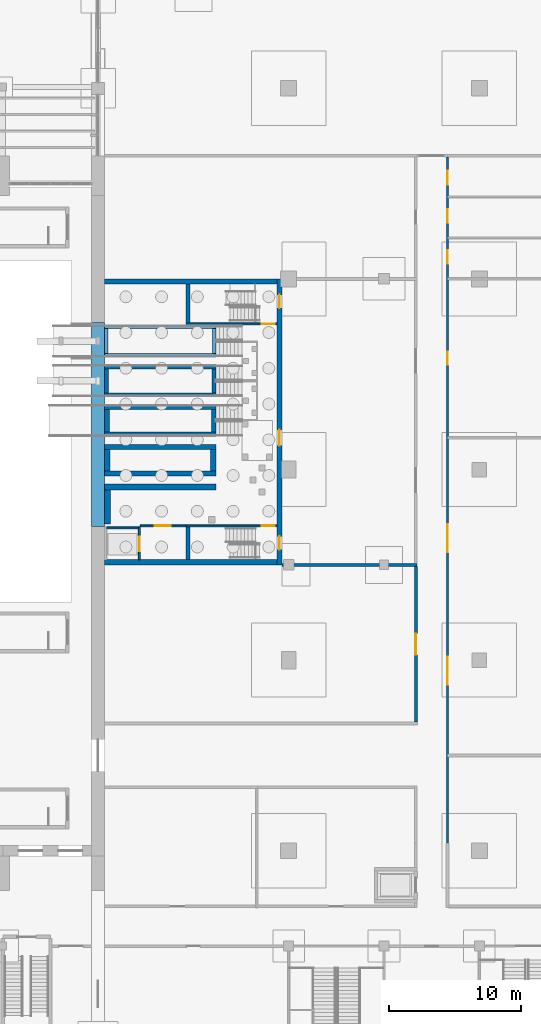
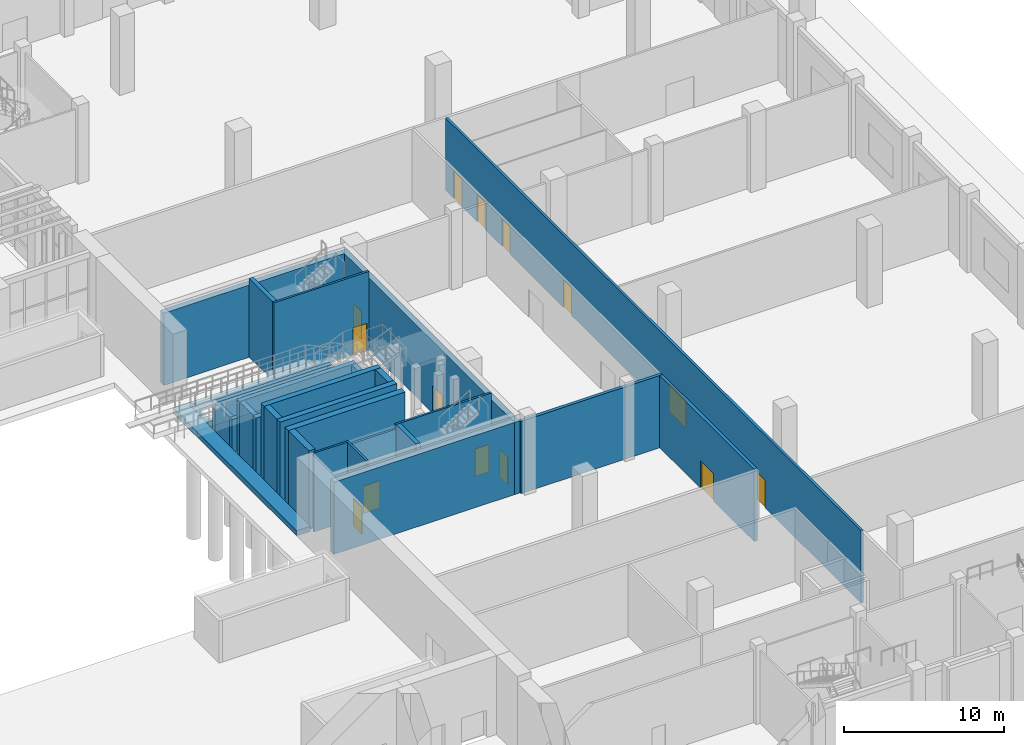
# One storey, part 49 of 70: 32 walls, 14 doors, 14 openings.
"""IFC4 building model written with IfcOpenShell, lengths in metres."""

from ifc_helpers import new_model, si_unit, direction, frame, frame_2d, origin, place, context, subcontext, project, spatial, rectangle, extrude, material, layer, layer_set, type_object, element, fill, save


model = new_model("IFC4")

# Units and contexts
model_context = context("Model", 3, precision=1e-05, world=origin(), true_north=direction((0.0, 1.0)))
body_context = subcontext(model_context, "Body", "Model", "MODEL_VIEW")
ifc_project = project(units=[si_unit("LENGTHUNIT", "METRE"), si_unit("AREAUNIT", "SQUARE_METRE"), si_unit("VOLUMEUNIT", "CUBIC_METRE"), si_unit("PLANEANGLEUNIT", "RADIAN"), si_unit("MASSUNIT", "GRAM", prefix="KILO")], contexts=[model_context])

# Site, building, storey
site_placement = place(None, origin())
site = spatial("IfcSite", under=ifc_project, at=site_placement, CompositionType="ELEMENT")
building_placement = place(site_placement, origin())
building = spatial("IfcBuilding", under=site, at=building_placement, Name="Vermilion Court Aquatics Centre", CompositionType="ELEMENT")
storey_placement = place(building_placement, origin())
storey = spatial("IfcBuildingStorey", under=building, at=storey_placement, Name="L00", CompositionType="ELEMENT", Elevation=0.0)

# Wall, opening, door
ifc_material_1 = material(Name="Concrete 5000 psi", Category="concrete")
ifc_layer_1 = layer(ifc_material_1, 0.14990234375)
ifc_layer_set_1 = layer_set([ifc_layer_1], Name="Diving Tower lift shaft wall 150")
wall_type_1 = type_object("IfcWallType", Name="Diving Tower lift shaft wall 150", PredefinedType="PARTITIONING", material=ifc_layer_set_1)
wall_1_placement = place(storey_placement, frame((147.125, 36.39990234375, 0.0), z_axis=(0.0, 0.0, 1.0), x_axis=(0.0, 1.0, 0.0)))
wall_1 = element("IfcWall", 1, at=wall_1_placement, inside=storey, type_object=wall_type_1, Name="Diving Tower lift shaft wall front L00", PredefinedType="PARTITIONING", context=body_context, shape_type="SweptSolid", body=[
    extrude(rectangle(XDim=2.47509765625, YDim=0.14990234375, at=frame_2d((1.237548828125, 0.0))), origin(), (0.0, 0.0, 1.0), 6.0),
])
opening_1_placement = place(wall_1_placement, frame((0.625, 0.0, 0.0)))
opening_1 = element("IfcOpeningElement", 2, at=opening_1_placement, cuts=wall_1, Name="Opening LD5-00", PredefinedType="OPENING", context=body_context, shape_type="SweptSolid", body=[
    extrude(rectangle(XDim=1.10009765625, YDim=2.10009765625, at=frame_2d((0.550048828125, 1.050048828125))), frame((0.0, 0.0849609375, 0.0), z_axis=(0.0, -1.0, 0.0), x_axis=(1.0, 0.0, 0.0)), (0.0, 0.0, 1.0), 0.169921875),
])
ifc_material_2 = material(Name="Hollow metal")
door_type_1 = type_object("IfcDoorType", Name="Diving Tower lift landing door 1100x2100", OperationType="DOUBLE_DOOR_SLIDING", PredefinedType="DOOR", material=ifc_material_2)
door_1_placement = place(opening_1_placement, origin())
door_1 = element("IfcDoor", 3, at=door_1_placement, inside=storey, type_object=door_type_1, Name="Lift landing door L5 L00", OperationType="DOUBLE_DOOR_SLIDING", OverallHeight=2.10009765625, OverallWidth=1.10009765625, PredefinedType="DOOR", context=body_context, shape_type="SweptSolid", body=[
    extrude(rectangle(XDim=1.10009765625, YDim=2.10009765625, at=frame_2d((0.550048828125, 1.050048828125))), frame((0.0, 0.02490234375, 0.0), z_axis=(0.0, -1.0, 0.0), x_axis=(1.0, 0.0, 0.0)), (0.0, 0.0, 1.0), 0.050048828125),
])
fill(opening_1, door_1)

# Wall
wall_2_placement = place(storey_placement, frame((144.64990234375, 38.800048828125, 0.0), z_axis=(0.0, 0.0, 1.0), x_axis=(1.0, 0.0, 0.0)))
element("IfcWall", 4, at=wall_2_placement, inside=storey, type_object=wall_type_1, Name="Diving Tower lift shaft wall north L00", PredefinedType="PARTITIONING", context=body_context, shape_type="SweptSolid", body=[
    extrude(rectangle(XDim=2.550048828125, YDim=0.14990234375, at=frame_2d((1.27490234375, 0.0))), origin(), (0.0, 0.0, 1.0), 6.0),
])

# Wall, openings, doors
ifc_material_3 = material(Name="Concrete 8000 psi", Category="concrete")
ifc_layer_2 = layer(ifc_material_3, 0.39990234375)
ifc_layer_set_2 = layer_set([ifc_layer_2], Name="Diving Tower shell wall 400")
wall_type_2 = type_object("IfcWallType", Name="Diving Tower shell wall 400", PredefinedType="SHEAR", material=ifc_layer_set_2)
wall_3_placement = place(storey_placement, frame((157.699951171875, 36.0, 0.0), z_axis=(0.0, 0.0, 1.0), x_axis=(0.0, 1.0, 0.0)))
wall_3 = element("IfcWall", 5, at=wall_3_placement, inside=storey, type_object=wall_type_2, Name="Diving Tower shell wall east L00", PredefinedType="SHEAR", context=body_context, shape_type="SweptSolid", body=[
    extrude(rectangle(XDim=21.60009765625, YDim=0.39990234375, at=frame_2d((10.800048828125, 0.0))), origin(), (0.0, 0.0, 1.0), 5.5),
])
opening_2_placement = place(wall_3_placement, frame((1.14990234375, 0.0, 0.0)))
opening_2 = element("IfcOpeningElement", 6, at=opening_2_placement, cuts=wall_3, Name="Opening U00-014", PredefinedType="OPENING", context=body_context, shape_type="SweptSolid", body=[
    extrude(rectangle(XDim=1.0, YDim=2.10009765625, at=frame_2d((0.5, 1.050048828125))), frame((0.0, 0.2099609375, 0.0), z_axis=(0.0, -1.0, 0.0), x_axis=(1.0, 0.0, 0.0)), (0.0, 0.0, 1.0), 0.419921875),
])
opening_3_placement = place(wall_3_placement, frame((19.39990234375, 0.0, 0.0)))
opening_3 = element("IfcOpeningElement", 7, at=opening_3_placement, cuts=wall_3, Name="Opening U00-015", PredefinedType="OPENING", context=body_context, shape_type="SweptSolid", body=[
    extrude(rectangle(XDim=1.0, YDim=2.10009765625, at=frame_2d((0.5, 1.050048828125))), frame((0.0, 0.2099609375, 0.0), z_axis=(0.0, -1.0, 0.0), x_axis=(1.0, 0.0, 0.0)), (0.0, 0.0, 1.0), 0.419921875),
])
opening_4_placement = place(wall_3_placement, frame((9.0, 0.0, 0.0)))
opening_4 = element("IfcOpeningElement", 8, at=opening_4_placement, cuts=wall_3, Name="Opening U00-016", PredefinedType="OPENING", context=body_context, shape_type="SweptSolid", body=[
    extrude(rectangle(XDim=1.199951171875, YDim=2.10009765625, at=frame_2d((0.60009765625, 1.050048828125))), frame((0.0, 0.2099609375, 0.0), z_axis=(0.0, -1.0, 0.0), x_axis=(1.0, 0.0, 0.0)), (0.0, 0.0, 1.0), 0.419921875),
])
ifc_material_4 = material(Name="Hollow metal")
door_type_2 = type_object("IfcDoorType", Name="Diving Tower entrance door FD90 1200x2100", OperationType="SINGLE_SWING_LEFT", PredefinedType="DOOR", material=ifc_material_4)
door_2_placement = place(opening_4_placement, origin())
door_2 = element("IfcDoor", 9, at=door_2_placement, inside=storey, type_object=door_type_2, Name="Diving Tower entrance door", OperationType="SINGLE_SWING_LEFT", OverallHeight=2.10009765625, OverallWidth=1.199951171875, PredefinedType="DOOR", context=body_context, shape_type="SweptSolid", body=[
    extrude(rectangle(XDim=1.199951171875, YDim=2.10009765625, at=frame_2d((0.60009765625, 1.050048828125))), frame((0.0, 0.02490234375, 0.0), z_axis=(0.0, -1.0, 0.0), x_axis=(1.0, 0.0, 0.0)), (0.0, 0.0, 1.0), 0.050048828125),
])
fill(opening_4, door_2)
ifc_material_5 = material(Name="Hollow metal")
door_type_3 = type_object("IfcDoorType", Name="Diving Tower exit door FD90 1000x2100", OperationType="NOTDEFINED", PredefinedType="DOOR", material=ifc_material_5)
door_3_placement = place(opening_2_placement, frame((1.0, 0.0, 0.0), z_axis=(0.0, 0.0, 1.0), x_axis=(-1.0, 0.0, 0.0)))
door_3 = element("IfcDoor", 10, at=door_3_placement, inside=storey, type_object=door_type_3, Name="Diving Stair 1 exit door", OperationType="SINGLE_SWING_RIGHT", OverallHeight=2.10009765625, OverallWidth=1.0, PredefinedType="DOOR", context=body_context, shape_type="SweptSolid", body=[
    extrude(rectangle(XDim=1.0, YDim=2.10009765625, at=frame_2d((0.5, 1.050048828125))), frame((0.0, 0.025146484375, 0.0), z_axis=(0.0, -1.0, 0.0), x_axis=(1.0, 0.0, 0.0)), (0.0, 0.0, 1.0), 0.050048828125),
])
fill(opening_2, door_3)
door_4_placement = place(opening_3_placement, frame((1.0, 0.0, 0.0), z_axis=(0.0, 0.0, 1.0), x_axis=(-1.0, 0.0, 0.0)))
door_4 = element("IfcDoor", 11, at=door_4_placement, inside=storey, type_object=door_type_3, Name="Diving Stair 2 exit door", OperationType="SINGLE_SWING_LEFT", OverallHeight=2.10009765625, OverallWidth=1.0, PredefinedType="DOOR", context=body_context, shape_type="SweptSolid", body=[
    extrude(rectangle(XDim=1.0, YDim=2.10009765625, at=frame_2d((0.5, 1.050048828125))), frame((0.0, 0.025146484375, 0.0), z_axis=(0.0, -1.0, 0.0), x_axis=(1.0, 0.0, 0.0)), (0.0, 0.0, 1.0), 0.050048828125),
])
fill(opening_3, door_4)

# Walls
for number, where, z_axis, x_axis, name in (
    (12, (144.5, 36.199951171875, 0.0), (0.0, 0.0, 1.0), (1.0, 0.0, 0.0), "Diving Tower shell wall south L00"),
    (13, (144.5, 57.39990234375, 0.0), (0.0, 0.0, 1.0), (1.0, 0.0, 0.0), "Diving Tower shell wall north L00"),
):
    element("IfcWall", number, at=place(storey_placement, frame(where, z_axis=z_axis, x_axis=x_axis)), inside=storey, type_object=wall_type_2, Name=name, PredefinedType="SHEAR", context=body_context, shape_type="SweptSolid", body=[
        extrude(rectangle(XDim=13.0, YDim=0.39990234375, at=frame_2d((6.5, 0.0))), origin(), (0.0, 0.0, 1.0), 5.5),
    ])

# Wall, opening, door
ifc_material_6 = material(Name="Concrete 5000 psi", Category="concrete")
ifc_layer_3 = layer(ifc_material_6, 0.14990234375)
ifc_layer_set_3 = layer_set([ifc_layer_3], Name="Diving Tower stair lane wall 150")
wall_type_3 = type_object("IfcWallType", Name="Diving Tower stair lane wall 150", PredefinedType="SHEAR", material=ifc_layer_set_3)
wall_4_placement = place(storey_placement, frame((150.64990234375, 38.949951171875, 0.0), z_axis=(0.0, 0.0, 1.0), x_axis=(1.0, 0.0, 0.0)))
wall_4 = element("IfcWall", 14, at=wall_4_placement, inside=storey, type_object=wall_type_3, Name="Diving Tower stair 1 lane wall L00", PredefinedType="SHEAR", context=body_context, shape_type="SweptSolid", body=[
    extrude(rectangle(XDim=6.85009765625, YDim=0.14990234375, at=frame_2d((3.425048828125, 0.0))), origin(), (0.0, 0.0, 1.0), 6.0),
])
opening_5_placement = place(wall_4_placement, frame((5.699951171875, 0.0, 0.0)))
opening_5 = element("IfcOpeningElement", 15, at=opening_5_placement, cuts=wall_4, Name="Opening U00-017", PredefinedType="OPENING", context=body_context, shape_type="SweptSolid", body=[
    extrude(rectangle(XDim=1.0, YDim=2.10009765625, at=frame_2d((0.5, 1.050048828125))), frame((0.0, 0.0849609375, 0.0), z_axis=(0.0, -1.0, 0.0), x_axis=(1.0, 0.0, 0.0)), (0.0, 0.0, 1.0), 0.169921875),
])
ifc_material_7 = material(Name="Hollow metal")
door_type_4 = type_object("IfcDoorType", Name="Diving Tower stair door FD90 1000x2100", OperationType="NOTDEFINED", PredefinedType="DOOR", material=ifc_material_7)
door_5_placement = place(opening_5_placement, origin())
door_5 = element("IfcDoor", 16, at=door_5_placement, inside=storey, type_object=door_type_4, Name="Diving Stair 1 hall door", OperationType="SINGLE_SWING_RIGHT", OverallHeight=2.10009765625, OverallWidth=1.0, PredefinedType="DOOR", context=body_context, shape_type="SweptSolid", body=[
    extrude(rectangle(XDim=1.0, YDim=2.10009765625, at=frame_2d((0.5, 1.050048828125))), frame((0.0, 0.02490234375, 0.0), z_axis=(0.0, -1.0, 0.0), x_axis=(1.0, 0.0, 0.0)), (0.0, 0.0, 1.0), 0.050048828125),
])
fill(opening_5, door_5)

wall_5_placement = place(storey_placement, frame((150.64990234375, 54.199951171875, 0.0), z_axis=(0.0, 0.0, 1.0), x_axis=(1.0, 0.0, 0.0)))
wall_5 = element("IfcWall", 17, at=wall_5_placement, inside=storey, type_object=wall_type_3, Name="Diving Tower stair 2 lane wall L00", PredefinedType="SHEAR", context=body_context, shape_type="SweptSolid", body=[
    extrude(rectangle(XDim=6.85009765625, YDim=0.14990234375, at=frame_2d((3.425048828125, 0.0))), origin(), (0.0, 0.0, 1.0), 6.0),
])
opening_6_placement = place(wall_5_placement, frame((5.699951171875, 0.0, 0.0)))
opening_6 = element("IfcOpeningElement", 18, at=opening_6_placement, cuts=wall_5, Name="Opening U00-018", PredefinedType="OPENING", context=body_context, shape_type="SweptSolid", body=[
    extrude(rectangle(XDim=1.0, YDim=2.10009765625, at=frame_2d((0.5, 1.050048828125))), frame((0.0, 0.0849609375, 0.0), z_axis=(0.0, -1.0, 0.0), x_axis=(1.0, 0.0, 0.0)), (0.0, 0.0, 1.0), 0.169921875),
])
door_6_placement = place(opening_6_placement, frame((1.0, 0.0, 0.0), z_axis=(0.0, 0.0, 1.0), x_axis=(-1.0, 0.0, 0.0)))
door_6 = element("IfcDoor", 19, at=door_6_placement, inside=storey, type_object=door_type_4, Name="Diving Stair 2 hall door", OperationType="SINGLE_SWING_LEFT", OverallHeight=2.10009765625, OverallWidth=1.0, PredefinedType="DOOR", context=body_context, shape_type="SweptSolid", body=[
    extrude(rectangle(XDim=1.0, YDim=2.10009765625, at=frame_2d((0.5, 1.050048828125))), frame((0.0, 0.025146484375, 0.0), z_axis=(0.0, -1.0, 0.0), x_axis=(1.0, 0.0, 0.0)), (0.0, 0.0, 1.0), 0.050048828125),
])
fill(opening_6, door_6)

wall_6_placement = place(storey_placement, frame((147.199951171875, 38.949951171875, 0.0), z_axis=(0.0, 0.0, 1.0), x_axis=(1.0, 0.0, 0.0)))
wall_6 = element("IfcWall", 20, at=wall_6_placement, inside=storey, type_object=wall_type_3, Name="Diving Tower lift lobby wall north L00", PredefinedType="SHEAR", context=body_context, shape_type="SweptSolid", body=[
    extrude(rectangle(XDim=3.449951171875, YDim=0.14990234375, at=frame_2d((1.72509765625, 0.0))), origin(), (0.0, 0.0, 1.0), 5.64990234375),
])
opening_7_placement = place(wall_6_placement, frame((1.10009765625, 0.0, 0.0)))
opening_7 = element("IfcOpeningElement", 21, at=opening_7_placement, cuts=wall_6, Name="Opening U00-019", PredefinedType="OPENING", context=body_context, shape_type="SweptSolid", body=[
    extrude(rectangle(XDim=1.199951171875, YDim=2.10009765625, at=frame_2d((0.60009765625, 1.050048828125))), frame((0.0, 0.0849609375, 0.0), z_axis=(0.0, -1.0, 0.0), x_axis=(1.0, 0.0, 0.0)), (0.0, 0.0, 1.0), 0.169921875),
])
ifc_material_8 = material(Name="Hollow metal")
door_type_5 = type_object("IfcDoorType", Name="Diving Tower lift lobby door FD90 1200x2100", OperationType="SINGLE_SWING_LEFT", PredefinedType="DOOR", material=ifc_material_8)
door_7_placement = place(opening_7_placement, origin())
door_7 = element("IfcDoor", 22, at=door_7_placement, inside=storey, type_object=door_type_5, Name="Diving Tower lift lobby door L00", OperationType="SINGLE_SWING_LEFT", OverallHeight=2.10009765625, OverallWidth=1.199951171875, PredefinedType="DOOR", context=body_context, shape_type="SweptSolid", body=[
    extrude(rectangle(XDim=1.199951171875, YDim=2.10009765625, at=frame_2d((0.60009765625, 1.050048828125))), frame((0.0, 0.02490234375, 0.0), z_axis=(0.0, -1.0, 0.0), x_axis=(1.0, 0.0, 0.0)), (0.0, 0.0, 1.0), 0.050048828125),
])
fill(opening_7, door_7)

# Walls
ifc_material_9 = material(Name="Concrete 8000 psi", Category="concrete")
ifc_layer_4 = layer(ifc_material_9, 0.300048828125)
ifc_layer_set_4 = layer_set([ifc_layer_4], Name="Diving Tower stair wall 300")
wall_type_4 = type_object("IfcWallType", Name="Diving Tower stair wall 300", PredefinedType="SHEAR", material=ifc_layer_set_4)
wall_7_placement = place(storey_placement, frame((150.800048828125, 36.39990234375, 0.0), z_axis=(0.0, 0.0, 1.0), x_axis=(0.0, 1.0, 0.0)))
element("IfcWall", 23, at=wall_7_placement, inside=storey, type_object=wall_type_4, Name="Diving Tower stair 1 west wall L00", PredefinedType="SHEAR", context=body_context, shape_type="SweptSolid", body=[
    extrude(rectangle(XDim=2.47509765625, YDim=0.300048828125, at=frame_2d((1.237548828125, 0.0))), origin(), (0.0, 0.0, 1.0), 6.0),
])
wall_8_placement = place(storey_placement, frame((150.800048828125, 54.27490234375, 0.0), z_axis=(0.0, 0.0, 1.0), x_axis=(0.0, 1.0, 0.0)))
element("IfcWall", 24, at=wall_8_placement, inside=storey, type_object=wall_type_4, Name="Diving Tower stair 2 west wall L00", PredefinedType="SHEAR", context=body_context, shape_type="SweptSolid", body=[
    extrude(rectangle(XDim=2.925048828125, YDim=0.300048828125, at=frame_2d((1.46240234375, 0.0))), origin(), (0.0, 0.0, 1.0), 6.0),
])
ifc_material_10 = material(Name="Concrete 5000 psi", Category="concrete")
ifc_layer_5 = layer(ifc_material_10, 1.0)
ifc_layer_set_5 = layer_set([ifc_layer_5], Name="Envelope east gable separation wall 1000")
wall_type_5 = type_object("IfcWallType", Name="Envelope east gable separation wall 1000", PredefinedType="SOLIDWALL", material=ifc_layer_set_5)
wall_9_placement = place(storey_placement, frame((144.0, 38.89990234375, 0.0), z_axis=(0.0, 0.0, 1.0), x_axis=(0.0, 1.0, 0.0)))
element("IfcWall", 25, at=wall_9_placement, inside=storey, type_object=wall_type_5, Name="Gable wall east L00 sill", PredefinedType="SOLIDWALL", context=body_context, shape_type="SweptSolid", body=[
    extrude(rectangle(XDim=15.400146484375, YDim=1.0, at=frame_2d((7.7001953125, 0.0))), origin(), (0.0, 0.0, 1.0), 0.39990234375),
])
ifc_material_11 = material(Name="Concrete 5000 psi", Category="concrete")
ifc_layer_6 = layer(ifc_material_11, 0.25)
ifc_layer_set_6 = layer_set([ifc_layer_6], Name="Hall diving tower wall 250")
wall_type_6 = type_object("IfcWallType", Name="Hall diving tower wall 250", PredefinedType="SOLIDWALL", material=ifc_layer_set_6)
for number, where, z_axis, x_axis, name in (
    (26, (144.5, 51.824951171875, 0.0), (0.0, 0.0, 1.0), (1.0, 0.0, 0.0), "Platform support wall 1 m"),
    (27, (144.5, 53.97509765625, 0.0), (0.0, 0.0, 1.0), (1.0, 0.0, 0.0), "Platform support wall 1 m"),
):
    element("IfcWall", number, at=place(storey_placement, frame(where, z_axis=z_axis, x_axis=x_axis)), inside=storey, type_object=wall_type_6, Name=name, PredefinedType="SOLIDWALL", context=body_context, shape_type="SweptSolid", body=[
        extrude(rectangle(XDim=8.39990234375, YDim=0.25, at=frame_2d((4.199951171875, 0.0))), origin(), (0.0, 0.0, 1.0), 0.594970703125),
    ])
for number, where, z_axis, x_axis, name in (
    (28, (144.625, 51.949951171875, 0.0), (0.0, 0.0, 1.0), (0.0, 1.0, 0.0), "Platform support wall 1 m"),
    (29, (152.77490234375, 51.949951171875, 0.0), (0.0, 0.0, 1.0), (0.0, 1.0, 0.0), "Platform support wall 1 m"),
):
    element("IfcWall", number, at=place(storey_placement, frame(where, z_axis=z_axis, x_axis=x_axis)), inside=storey, type_object=wall_type_6, Name=name, PredefinedType="SOLIDWALL", context=body_context, shape_type="SweptSolid", body=[
        extrude(rectangle(XDim=1.900146484375, YDim=0.25, at=frame_2d((0.9501953125, 0.0))), origin(), (0.0, 0.0, 1.0), 0.594970703125),
    ])
ifc_material_12 = material(Name="Concrete 5000 psi", Category="concrete")
ifc_layer_7 = layer(ifc_material_12, 0.300048828125)
ifc_layer_set_7 = layer_set([ifc_layer_7], Name="Hall diving tower wall 300")
wall_type_7 = type_object("IfcWallType", Name="Hall diving tower wall 300", PredefinedType="SOLIDWALL", material=ifc_layer_set_7)
for number, where, z_axis, x_axis, name in (
    (30, (144.5, 48.85009765625, 0.0), (0.0, 0.0, 1.0), (1.0, 0.0, 0.0), "Platform support wall 3 m"),
    (31, (144.5, 50.949951171875, 0.0), (0.0, 0.0, 1.0), (1.0, 0.0, 0.0), "Platform support wall 3 m"),
):
    element("IfcWall", number, at=place(storey_placement, frame(where, z_axis=z_axis, x_axis=x_axis)), inside=storey, type_object=wall_type_7, Name=name, PredefinedType="SOLIDWALL", context=body_context, shape_type="SweptSolid", body=[
        extrude(rectangle(XDim=8.39990234375, YDim=0.300048828125, at=frame_2d((4.199951171875, 0.0))), origin(), (0.0, 0.0, 1.0), 2.550048828125),
    ])
for number, where, z_axis, x_axis, name in (
    (32, (144.64990234375, 49.0, 0.0), (0.0, 0.0, 1.0), (0.0, 1.0, 0.0), "Platform support wall 3 m"),
    (33, (152.75, 49.0, 0.0), (0.0, 0.0, 1.0), (0.0, 1.0, 0.0), "Platform support wall 3 m"),
):
    element("IfcWall", number, at=place(storey_placement, frame(where, z_axis=z_axis, x_axis=x_axis)), inside=storey, type_object=wall_type_7, Name=name, PredefinedType="SOLIDWALL", context=body_context, shape_type="SweptSolid", body=[
        extrude(rectangle(XDim=1.800048828125, YDim=0.300048828125, at=frame_2d((0.89990234375, 0.0))), origin(), (0.0, 0.0, 1.0), 2.550048828125),
    ])
ifc_material_13 = material(Name="Concrete 5000 psi", Category="concrete")
ifc_layer_8 = layer(ifc_material_13, 0.35009765625)
ifc_layer_set_8 = layer_set([ifc_layer_8], Name="Hall diving tower wall 350")
wall_type_8 = type_object("IfcWallType", Name="Hall diving tower wall 350", PredefinedType="SOLIDWALL", material=ifc_layer_set_8)
for number, where, z_axis, x_axis, name in (
    (34, (144.5, 45.875, 0.0), (0.0, 0.0, 1.0), (1.0, 0.0, 0.0), "Platform support wall 5 m"),
    (35, (144.5, 47.925048828125, 0.0), (0.0, 0.0, 1.0), (1.0, 0.0, 0.0), "Platform support wall 5 m"),
):
    element("IfcWall", number, at=place(storey_placement, frame(where, z_axis=z_axis, x_axis=x_axis)), inside=storey, type_object=wall_type_8, Name=name, PredefinedType="SOLIDWALL", context=body_context, shape_type="SweptSolid", body=[
        extrude(rectangle(XDim=8.39990234375, YDim=0.35009765625, at=frame_2d((4.199951171875, 0.0))), origin(), (0.0, 0.0, 1.0), 4.5),
    ])
for number, where, z_axis, x_axis, name in (
    (36, (144.675048828125, 46.050048828125, 0.0), (0.0, 0.0, 1.0), (0.0, 1.0, 0.0), "Platform support wall 5 m"),
    (37, (152.72509765625, 46.050048828125, 0.0), (0.0, 0.0, 1.0), (0.0, 1.0, 0.0), "Platform support wall 5 m"),
):
    element("IfcWall", number, at=place(storey_placement, frame(where, z_axis=z_axis, x_axis=x_axis)), inside=storey, type_object=wall_type_8, Name=name, PredefinedType="SOLIDWALL", context=body_context, shape_type="SweptSolid", body=[
        extrude(rectangle(XDim=1.699951171875, YDim=0.35009765625, at=frame_2d((0.85009765625, 0.0))), origin(), (0.0, 0.0, 1.0), 4.5),
    ])
ifc_material_14 = material(Name="Concrete 5000 psi", Category="concrete")
ifc_layer_9 = layer(ifc_material_14, 0.39990234375)
ifc_layer_set_9 = layer_set([ifc_layer_9], Name="Hall diving tower wall 400")
wall_type_9 = type_object("IfcWallType", Name="Hall diving tower wall 400", PredefinedType="SOLIDWALL", material=ifc_layer_set_9)
for number, where, z_axis, x_axis, name in (
    (38, (144.5, 42.89990234375, 0.0), (0.0, 0.0, 1.0), (1.0, 0.0, 0.0), "Platform support wall 7.5 m"),
    (39, (144.5, 44.89990234375, 0.0), (0.0, 0.0, 1.0), (1.0, 0.0, 0.0), "Platform support wall 7.5 m"),
):
    element("IfcWall", number, at=place(storey_placement, frame(where, z_axis=z_axis, x_axis=x_axis)), inside=storey, type_object=wall_type_9, Name=name, PredefinedType="SOLIDWALL", context=body_context, shape_type="SweptSolid", body=[
        extrude(rectangle(XDim=8.39990234375, YDim=0.39990234375, at=frame_2d((4.199951171875, 0.0))), origin(), (0.0, 0.0, 1.0), 6.0),
    ])
for number, where, z_axis, x_axis, name in (
    (40, (144.699951171875, 43.10009765625, 0.0), (0.0, 0.0, 1.0), (0.0, 1.0, 0.0), "Platform support wall 7.5 m"),
    (41, (152.699951171875, 43.10009765625, 0.0), (0.0, 0.0, 1.0), (0.0, 1.0, 0.0), "Platform support wall 7.5 m"),
):
    element("IfcWall", number, at=place(storey_placement, frame(where, z_axis=z_axis, x_axis=x_axis)), inside=storey, type_object=wall_type_9, Name=name, PredefinedType="SOLIDWALL", context=body_context, shape_type="SweptSolid", body=[
        extrude(rectangle(XDim=1.599853515625, YDim=0.39990234375, at=frame_2d((0.7998046875, 0.0))), origin(), (0.0, 0.0, 1.0), 6.0),
    ])
ifc_material_15 = material(Name="Concrete 5000 psi", Category="concrete")
ifc_layer_10 = layer(ifc_material_15, 0.449951171875)
ifc_layer_set_10 = layer_set([ifc_layer_10], Name="Hall diving tower wall 450")
wall_type_10 = type_object("IfcWallType", Name="Hall diving tower wall 450", PredefinedType="SOLIDWALL", material=ifc_layer_set_10)
wall_10_placement = place(storey_placement, frame((144.5, 41.875, 0.0), z_axis=(0.0, 0.0, 1.0), x_axis=(1.0, 0.0, 0.0)))
element("IfcWall", 42, at=wall_10_placement, inside=storey, type_object=wall_type_10, Name="Platform support wall 10 m", PredefinedType="SOLIDWALL", context=body_context, shape_type="SweptSolid", body=[
    extrude(rectangle(XDim=8.39990234375, YDim=0.449951171875, at=frame_2d((4.199951171875, 0.0))), origin(), (0.0, 0.0, 1.0), 6.0),
])
wall_11_placement = place(storey_placement, frame((144.72509765625, 39.10009765625, 0.0), z_axis=(0.0, 0.0, 1.0), x_axis=(0.0, 1.0, 0.0)))
element("IfcWall", 43, at=wall_11_placement, inside=storey, type_object=wall_type_10, Name="Platform support wall 10 m", PredefinedType="SOLIDWALL", context=body_context, shape_type="SweptSolid", body=[
    extrude(rectangle(XDim=2.5498046875, YDim=0.449951171875, at=frame_2d((1.27490234375, 0.0))), origin(), (0.0, 0.0, 1.0), 6.0),
])

# Wall, openings, doors
ifc_material_16 = material(Name="Concrete masonry ASTM C90 Type I", Category="masonry")
ifc_layer_11 = layer(ifc_material_16, 0.175048828125)
ifc_layer_set_11 = layer_set([ifc_layer_11], Name="Podium corridor wall 175, 1 hr")
wall_type_11 = type_object("IfcWallType", Name="Podium corridor wall 175, 1 hr", PredefinedType="PARTITIONING", material=ifc_layer_set_11)
wall_12_placement = place(storey_placement, frame((170.39990234375, 15.0, 0.0), z_axis=(0.0, 0.0, 1.0), x_axis=(0.0, 1.0, 0.0)))
wall_12 = element("IfcWall", 44, at=wall_12_placement, inside=storey, type_object=wall_type_11, Name="Corridor wall", PredefinedType="PARTITIONING", context=body_context, shape_type="SweptSolid", body=[
    extrude(rectangle(XDim=51.800048828125, YDim=0.175048828125, at=frame_2d((25.89990234375, 0.0))), origin(), (0.0, 0.0, 1.0), 5.5),
])
opening_8_placement = place(wall_12_placement, frame((11.949951171875, 0.0, 0.0)))
opening_8 = element("IfcOpeningElement", 45, at=opening_8_placement, cuts=wall_12, Name="Opening P00-014", PredefinedType="OPENING", context=body_context, shape_type="SweptSolid", body=[
    extrude(rectangle(XDim=2.10009765625, YDim=2.10009765625, at=frame_2d((1.050048828125, 1.050048828125))), frame((0.0, 0.097412109375, 0.0), z_axis=(0.0, -1.0, 0.0), x_axis=(1.0, 0.0, 0.0)), (0.0, 0.0, 1.0), 0.195068359375),
])
opening_9_placement = place(wall_12_placement, frame((21.949951171875, 0.0, 0.0)))
opening_9 = element("IfcOpeningElement", 46, at=opening_9_placement, cuts=wall_12, Name="Opening P00-015", PredefinedType="OPENING", context=body_context, shape_type="SweptSolid", body=[
    extrude(rectangle(XDim=2.10009765625, YDim=2.10009765625, at=frame_2d((1.050048828125, 1.050048828125))), frame((0.0, 0.097412109375, 0.0), z_axis=(0.0, -1.0, 0.0), x_axis=(1.0, 0.0, 0.0)), (0.0, 0.0, 1.0), 0.195068359375),
])
opening_10_placement = place(wall_12_placement, frame((36.10009765625, 0.0, 0.0)))
opening_10 = element("IfcOpeningElement", 47, at=opening_10_placement, cuts=wall_12, Name="Opening P00-016", PredefinedType="OPENING", context=body_context, shape_type="SweptSolid", body=[
    extrude(rectangle(XDim=1.0, YDim=2.10009765625, at=frame_2d((0.5, 1.050048828125))), frame((0.0, 0.097412109375, 0.0), z_axis=(0.0, -1.0, 0.0), x_axis=(1.0, 0.0, 0.0)), (0.0, 0.0, 1.0), 0.195068359375),
])
opening_11_placement = place(wall_12_placement, frame((43.75341796875, 0.0, 0.0)))
opening_11 = element("IfcOpeningElement", 48, at=opening_11_placement, cuts=wall_12, Name="Opening P00-017", PredefinedType="OPENING", context=body_context, shape_type="SweptSolid", body=[
    extrude(rectangle(XDim=1.0, YDim=2.10009765625, at=frame_2d((0.5, 1.050048828125))), frame((0.0, 0.097412109375, 0.0), z_axis=(0.0, -1.0, 0.0), x_axis=(1.0, 0.0, 0.0)), (0.0, 0.0, 1.0), 0.195068359375),
])
opening_12_placement = place(wall_12_placement, frame((46.853271484375, 0.0, 0.0)))
opening_12 = element("IfcOpeningElement", 49, at=opening_12_placement, cuts=wall_12, Name="Opening P00-018", PredefinedType="OPENING", context=body_context, shape_type="SweptSolid", body=[
    extrude(rectangle(XDim=1.0, YDim=2.10009765625, at=frame_2d((0.5, 1.050048828125))), frame((0.0, 0.097412109375, 0.0), z_axis=(0.0, -1.0, 0.0), x_axis=(1.0, 0.0, 0.0)), (0.0, 0.0, 1.0), 0.195068359375),
])
opening_13_placement = place(wall_12_placement, frame((49.7216796875, 0.0, 0.0)))
opening_13 = element("IfcOpeningElement", 50, at=opening_13_placement, cuts=wall_12, Name="Opening P00-019", PredefinedType="OPENING", context=body_context, shape_type="SweptSolid", body=[
    extrude(rectangle(XDim=1.050048828125, YDim=2.10009765625, at=frame_2d((0.52490234375, 1.050048828125))), frame((0.0, 0.097412109375, 0.0), z_axis=(0.0, -1.0, 0.0), x_axis=(1.0, 0.0, 0.0)), (0.0, 0.0, 1.0), 0.195068359375),
])
ifc_material_17 = material(Name="Hollow metal")
door_type_6 = type_object("IfcDoorType", Name="Podium fire door accessible WC 1050x2100, 60 min", OperationType="NOTDEFINED", PredefinedType="DOOR", material=ifc_material_17)
door_8_placement = place(opening_13_placement, frame((1.050048828125, 0.0, 0.0), z_axis=(0.0, 0.0, 1.0), x_axis=(-1.0, 0.0, 0.0)))
door_8 = element("IfcDoor", 51, at=door_8_placement, inside=storey, type_object=door_type_6, Name="Door", OperationType="SINGLE_SWING_RIGHT", OverallHeight=2.10009765625, OverallWidth=1.050048828125, PredefinedType="DOOR", context=body_context, shape_type="SweptSolid", body=[
    extrude(rectangle(XDim=1.050048828125, YDim=2.10009765625, at=frame_2d((0.525146484375, 1.050048828125))), frame((0.0, 0.025146484375, 0.0), z_axis=(0.0, -1.0, 0.0), x_axis=(1.0, 0.0, 0.0)), (0.0, 0.0, 1.0), 0.050048828125),
])
fill(opening_13, door_8)
ifc_material_18 = material(Name="Hollow metal")
door_type_7 = type_object("IfcDoorType", Name="Podium fire door cafe pair 2100x2100, 60 min", OperationType="DOUBLE_DOOR_SINGLE_SWING", PredefinedType="DOOR", material=ifc_material_18)
door_9_placement = place(opening_8_placement, origin())
door_9 = element("IfcDoor", 52, at=door_9_placement, inside=storey, type_object=door_type_7, Name="Door", OperationType="DOUBLE_DOOR_SINGLE_SWING", OverallHeight=2.10009765625, OverallWidth=2.10009765625, PredefinedType="DOOR", context=body_context, shape_type="SweptSolid", body=[
    extrude(rectangle(XDim=2.10009765625, YDim=2.10009765625, at=frame_2d((1.050048828125, 1.050048828125))), frame((0.0, 0.02490234375, 0.0), z_axis=(0.0, -1.0, 0.0), x_axis=(1.0, 0.0, 0.0)), (0.0, 0.0, 1.0), 0.050048828125),
])
fill(opening_8, door_9)
door_10_placement = place(opening_9_placement, origin())
door_10 = element("IfcDoor", 53, at=door_10_placement, inside=storey, type_object=door_type_7, Name="Door", OperationType="DOUBLE_DOOR_SINGLE_SWING", OverallHeight=2.10009765625, OverallWidth=2.10009765625, PredefinedType="DOOR", context=body_context, shape_type="SweptSolid", body=[
    extrude(rectangle(XDim=2.10009765625, YDim=2.10009765625, at=frame_2d((1.050048828125, 1.050048828125))), frame((0.0, 0.02490234375, 0.0), z_axis=(0.0, -1.0, 0.0), x_axis=(1.0, 0.0, 0.0)), (0.0, 0.0, 1.0), 0.050048828125),
])
fill(opening_9, door_10)
ifc_material_19 = material(Name="Hollow metal")
door_type_8 = type_object("IfcDoorType", Name="Podium fire door leaf 1000x2100, 60 min", OperationType="NOTDEFINED", PredefinedType="DOOR", material=ifc_material_19)
door_11_placement = place(opening_10_placement, origin())
door_11 = element("IfcDoor", 54, at=door_11_placement, inside=storey, type_object=door_type_8, Name="Door", OperationType="SINGLE_SWING_LEFT", OverallHeight=2.10009765625, OverallWidth=1.0, PredefinedType="DOOR", context=body_context, shape_type="SweptSolid", body=[
    extrude(rectangle(XDim=1.0, YDim=2.10009765625, at=frame_2d((0.5, 1.050048828125))), frame((0.0, 0.02490234375, 0.0), z_axis=(0.0, -1.0, 0.0), x_axis=(1.0, 0.0, 0.0)), (0.0, 0.0, 1.0), 0.050048828125),
])
fill(opening_10, door_11)
door_12_placement = place(opening_11_placement, frame((1.0, 0.0, 0.0), z_axis=(0.0, 0.0, 1.0), x_axis=(-1.0, 0.0, 0.0)))
door_12 = element("IfcDoor", 55, at=door_12_placement, inside=storey, type_object=door_type_8, Name="Door", OperationType="SINGLE_SWING_LEFT", OverallHeight=2.10009765625, OverallWidth=1.0, PredefinedType="DOOR", context=body_context, shape_type="SweptSolid", body=[
    extrude(rectangle(XDim=1.0, YDim=2.10009765625, at=frame_2d((0.5, 1.050048828125))), frame((0.0, 0.025146484375, 0.0), z_axis=(0.0, -1.0, 0.0), x_axis=(1.0, 0.0, 0.0)), (0.0, 0.0, 1.0), 0.050048828125),
])
fill(opening_11, door_12)
door_13_placement = place(opening_12_placement, frame((1.0, 0.0, 0.0), z_axis=(0.0, 0.0, 1.0), x_axis=(-1.0, 0.0, 0.0)))
door_13 = element("IfcDoor", 56, at=door_13_placement, inside=storey, type_object=door_type_8, Name="Door", OperationType="SINGLE_SWING_LEFT", OverallHeight=2.10009765625, OverallWidth=1.0, PredefinedType="DOOR", context=body_context, shape_type="SweptSolid", body=[
    extrude(rectangle(XDim=1.0, YDim=2.10009765625, at=frame_2d((0.5, 1.050048828125))), frame((0.0, 0.025146484375, 0.0), z_axis=(0.0, -1.0, 0.0), x_axis=(1.0, 0.0, 0.0)), (0.0, 0.0, 1.0), 0.050048828125),
])
fill(opening_12, door_13)

# Wall, opening, door
ifc_material_20 = material(Name="Concrete masonry ASTM C90 Type I", Category="masonry")
ifc_layer_12 = layer(ifc_material_20, 0.22509765625)
ifc_layer_set_12 = layer_set([ifc_layer_12], Name="Podium kitchen wall 225, 1 hr")
wall_type_12 = type_object("IfcWallType", Name="Podium kitchen wall 225, 1 hr", PredefinedType="PARTITIONING", material=ifc_layer_set_12)
wall_13_placement = place(storey_placement, frame((168.0, 24.112548828125, 0.0), z_axis=(0.0, 0.0, 1.0), x_axis=(0.0, 1.0, 0.0)))
wall_13 = element("IfcWall", 57, at=wall_13_placement, inside=storey, type_object=wall_type_12, Name="Kitchen wall", PredefinedType="PARTITIONING", context=body_context, shape_type="SweptSolid", body=[
    extrude(rectangle(XDim=11.77490234375, YDim=0.22509765625, at=frame_2d((5.887451171875, 0.0))), origin(), (0.0, 0.0, 1.0), 5.5),
])
opening_14_placement = place(wall_13_placement, frame((5.08740234375, 0.0, 0.0)))
opening_14 = element("IfcOpeningElement", 58, at=opening_14_placement, cuts=wall_13, Name="Opening P00-010", PredefinedType="OPENING", context=body_context, shape_type="SweptSolid", body=[
    extrude(rectangle(XDim=1.60009765625, YDim=2.10009765625, at=frame_2d((0.800048828125, 1.050048828125))), frame((0.0, 0.12255859375, 0.0), z_axis=(0.0, -1.0, 0.0), x_axis=(1.0, 0.0, 0.0)), (0.0, 0.0, 1.0), 0.2451171875),
])
ifc_material_21 = material(Name="Hollow metal")
door_type_9 = type_object("IfcDoorType", Name="Podium fire door kitchen pair 1600x2100, 60 min", OperationType="DOUBLE_DOOR_SINGLE_SWING", PredefinedType="DOOR", material=ifc_material_21)
door_14_placement = place(opening_14_placement, frame((1.60009765625, 0.0, 0.0), z_axis=(0.0, 0.0, 1.0), x_axis=(-1.0, 0.0, 0.0)))
door_14 = element("IfcDoor", 59, at=door_14_placement, inside=storey, type_object=door_type_9, Name="Door", OperationType="DOUBLE_DOOR_SINGLE_SWING", OverallHeight=2.10009765625, OverallWidth=1.60009765625, PredefinedType="DOOR", context=body_context, shape_type="SweptSolid", body=[
    extrude(rectangle(XDim=1.60009765625, YDim=2.10009765625, at=frame_2d((0.800048828125, 1.050048828125))), frame((0.0, 0.025146484375, 0.0), z_axis=(0.0, -1.0, 0.0), x_axis=(1.0, 0.0, 0.0)), (0.0, 0.0, 1.0), 0.050048828125),
])
fill(opening_14, door_14)

# Wall
wall_14_placement = place(storey_placement, frame((157.89990234375, 36.0, 0.0), z_axis=(0.0, 0.0, 1.0), x_axis=(1.0, 0.0, 0.0)))
element("IfcWall", 60, at=wall_14_placement, inside=storey, type_object=wall_type_12, Name="Kitchen wall", PredefinedType="PARTITIONING", context=body_context, shape_type="SweptSolid", body=[
    extrude(rectangle(XDim=10.1875, YDim=0.22509765625, at=frame_2d((5.09375, 0.0))), origin(), (0.0, 0.0, 1.0), 5.5),
])

save(model, "model.ifc")
